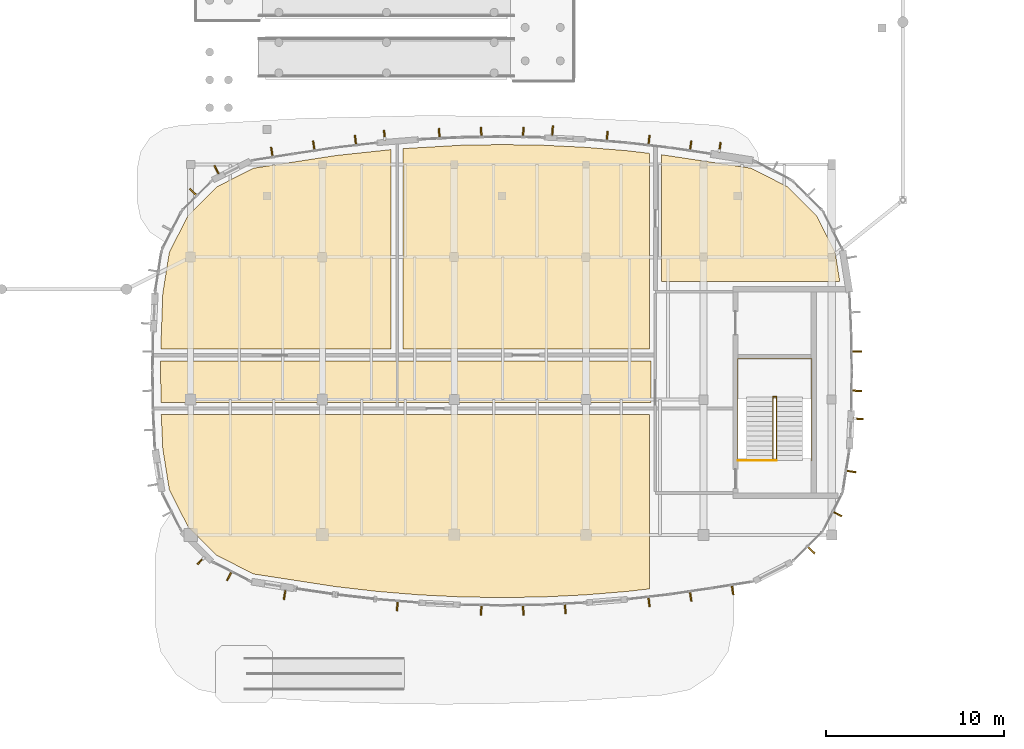
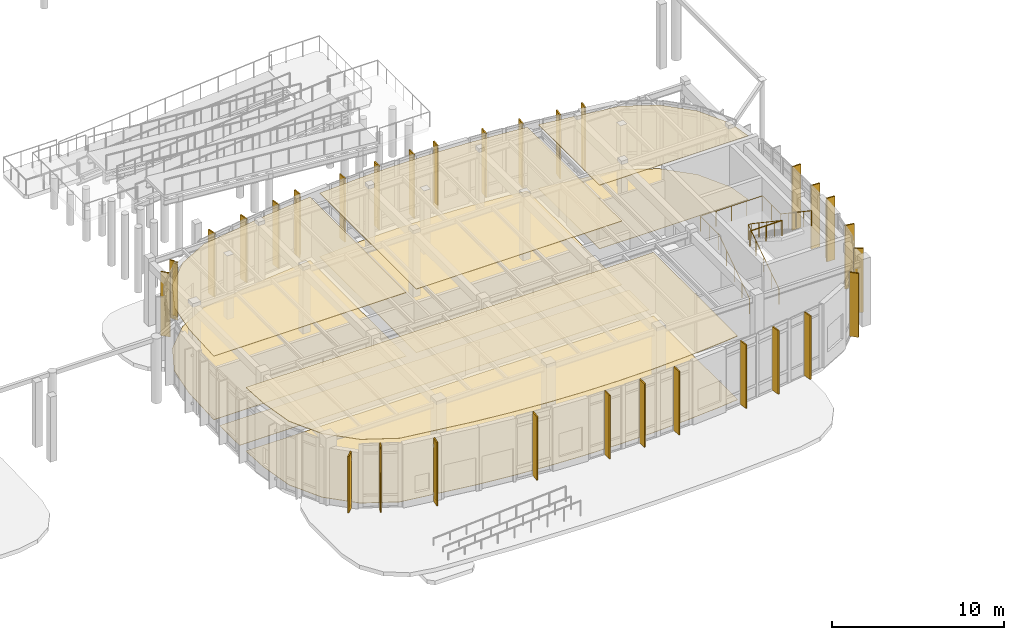
# One storey, part 106 of 120: 39 coverings, 7 shading devices, 3 railings.
"""IFC4 building model written with IfcOpenShell, lengths in metres."""

from ifc_helpers import new_model, si_unit, direction, frame, origin, origin_2d, place, context, subcontext, project, spatial, polyline, rectangle, circle, outline, extrude, material, layer, layer_set, type_object, element, save


model = new_model("IFC4")

# Units and contexts
model_context = context("Model", 3, precision=1e-05, world=origin(), true_north=direction((0.0, 1.0)))
body_context = subcontext(model_context, "Body", "Model", "MODEL_VIEW")
ifc_project = project(units=[si_unit("LENGTHUNIT", "METRE"), si_unit("AREAUNIT", "SQUARE_METRE"), si_unit("VOLUMEUNIT", "CUBIC_METRE"), si_unit("PLANEANGLEUNIT", "RADIAN"), si_unit("MASSUNIT", "GRAM", prefix="KILO")], contexts=[model_context])

# Site, building, storey
site_placement = place(None, origin())
site = spatial("IfcSite", under=ifc_project, at=site_placement, CompositionType="ELEMENT")
building_placement = place(site_placement, origin())
building = spatial("IfcBuilding", under=site, at=building_placement, Name="Corveleigh Park Community Centre", CompositionType="ELEMENT")
storey_placement = place(building_placement, origin())
storey = spatial("IfcBuildingStorey", under=building, at=storey_placement, Name="L00", CompositionType="ELEMENT", Elevation=0.0)

# Coverings
ifc_material_1 = material(Name="Warm buff ribbed architectural cladding", Category="masonry")
ifc_layer_1 = layer(ifc_material_1, 0.0849609375, Name="Warm buff ribbed architectural cladding", Category="masonry")
ifc_layer_set_1 = layer_set([ifc_layer_1], Name="Warm buff ribbed architectural cladding")
covering_type_1 = type_object("IfcCoveringType", Name="COV-CLD-BUF", PredefinedType="CLADDING", material=ifc_layer_set_1)
covering_1_placement = place(storey_placement, origin())
element("IfcCovering", 1, at=covering_1_placement, inside=storey, type_object=covering_type_1, Name="V3 L00 Brise-soleil blade 51", PredefinedType="CLADDING", context=body_context, shape_type="SweptSolid", body=[
    extrude(outline(polyline([(83.675048828125, 7.506103515625), (83.590087890625, 7.512939453125), (83.54296875, 6.93505859375), (83.6279296875, 6.927978515625), (83.675048828125, 7.506103515625)])), origin(), (0.0, 0.0, 1.0), 4.511962890625),
])
covering_2_placement = place(storey_placement, origin())
element("IfcCovering", 2, at=covering_2_placement, inside=storey, type_object=covering_type_1, Name="V3 L00 Brise-soleil blade 52", PredefinedType="CLADDING", context=body_context, shape_type="SweptSolid", body=[
    extrude(outline(polyline([(88.367919921875, 7.278076171875), (88.282958984375, 7.280029296875), (88.27294921875, 6.699951171875), (88.35791015625, 6.697998046875), (88.367919921875, 7.278076171875)])), origin(), (0.0, 0.0, 1.0), 4.511962890625),
])
covering_3_placement = place(storey_placement, origin())
element("IfcCovering", 3, at=covering_3_placement, inside=storey, type_object=covering_type_1, Name="V3 L00 Brise-soleil blade 53", PredefinedType="CLADDING", context=body_context, shape_type="SweptSolid", body=[
    extrude(outline(polyline([(90.717041015625, 7.280029296875), (90.632080078125, 7.278076171875), (90.64208984375, 6.697998046875), (90.72705078125, 6.699951171875), (90.717041015625, 7.280029296875)])), origin(), (0.0, 0.0, 1.0), 4.511962890625),
])
covering_4_placement = place(storey_placement, origin())
element("IfcCovering", 4, at=covering_4_placement, inside=storey, type_object=covering_type_1, Name="V3 L00 Brise-soleil blade 54", PredefinedType="CLADDING", context=body_context, shape_type="SweptSolid", body=[
    extrude(outline(polyline([(93.06494140625, 7.35791015625), (92.98095703125, 7.35400390625), (93.009033203125, 6.77490234375), (93.093994140625, 6.779052734375), (93.06494140625, 7.35791015625)])), origin(), (0.0, 0.0, 1.0), 4.511962890625),
])
covering_5_placement = place(storey_placement, origin())
element("IfcCovering", 5, at=covering_5_placement, inside=storey, type_object=covering_type_1, Name="V3 L00 Brise-soleil blade 55", PredefinedType="CLADDING", context=body_context, shape_type="SweptSolid", body=[
    extrude(outline(polyline([(97.7470703125, 7.7451171875), (97.6630859375, 7.736083984375), (97.72900390625, 7.158935546875), (97.81396484375, 7.1689453125), (97.7470703125, 7.7451171875)])), origin(), (0.0, 0.0, 1.0), 4.511962890625),
])
covering_6_placement = place(storey_placement, origin())
element("IfcCovering", 6, at=covering_6_placement, inside=storey, type_object=covering_type_1, Name="V3 L00 Brise-soleil blade 56", PredefinedType="CLADDING", context=body_context, shape_type="SweptSolid", body=[
    extrude(outline(polyline([(100.077880859375, 8.053955078125), (99.993896484375, 8.041015625), (100.0791015625, 7.467041015625), (100.1630859375, 7.47998046875), (100.077880859375, 8.053955078125)])), origin(), (0.0, 0.0, 1.0), 4.511962890625),
])
covering_7_placement = place(storey_placement, origin())
element("IfcCovering", 7, at=covering_7_placement, inside=storey, type_object=covering_type_1, Name="V3 L00 Brise-soleil blade 57", PredefinedType="CLADDING", context=body_context, shape_type="SweptSolid", body=[
    extrude(outline(polyline([(102.427978515625, 8.4150390625), (102.343994140625, 8.402099609375), (102.43505859375, 7.8291015625), (102.51904296875, 7.842041015625), (102.427978515625, 8.4150390625)])), origin(), (0.0, 0.0, 1.0), 4.511962890625),
])
covering_8_placement = place(storey_placement, origin())
element("IfcCovering", 8, at=covering_8_placement, inside=storey, type_object=covering_type_1, Name="V3 L00 Brise-soleil blade 58", PredefinedType="CLADDING", context=body_context, shape_type="SweptSolid", body=[
    extrude(outline(polyline([(106.6630859375, 10.596923828125), (106.60302734375, 10.537109375), (107.012939453125, 10.1259765625), (107.073974609375, 10.18701171875), (106.6630859375, 10.596923828125)])), origin(), (0.0, 0.0, 1.0), 4.5419921875),
])
covering_9_placement = place(storey_placement, origin())
element("IfcCovering", 9, at=covering_9_placement, inside=storey, type_object=covering_type_1, Name="V3 L00 Brise-soleil blade 59", PredefinedType="CLADDING", context=body_context, shape_type="SweptSolid", body=[
    extrude(outline(polyline([(108.06494140625, 12.549072265625), (108.027099609375, 12.47412109375), (108.5439453125, 12.2099609375), (108.58203125, 12.285888671875), (108.06494140625, 12.549072265625)])), origin(), (0.0, 0.0, 1.0), 4.5419921875),
])
covering_10_placement = place(storey_placement, origin())
element("IfcCovering", 10, at=covering_10_placement, inside=storey, type_object=covering_type_1, Name="V3 L00 Brise-soleil blade 60", PredefinedType="CLADDING", context=body_context, shape_type="SweptSolid", body=[
    extrude(outline(polyline([(108.797119140625, 14.85107421875), (108.783935546875, 14.76708984375), (109.35693359375, 14.676025390625), (109.3701171875, 14.760009765625), (108.797119140625, 14.85107421875)])), origin(), (0.0, 0.0, 1.0), 4.511962890625),
])
covering_11_placement = place(storey_placement, origin())
element("IfcCovering", 11, at=covering_11_placement, inside=storey, type_object=covering_type_1, Name="V3 L00 Brise-soleil blade 61", PredefinedType="CLADDING", context=body_context, shape_type="SweptSolid", body=[
    extrude(outline(polyline([(109.2470703125, 17.77490234375), (109.242919921875, 17.68994140625), (109.778076171875, 17.666015625), (109.781982421875, 17.7509765625), (109.2470703125, 17.77490234375)])), origin(), (0.0, 0.0, 1.0), 4.511962890625),
])
covering_12_placement = place(storey_placement, origin())
element("IfcCovering", 12, at=covering_12_placement, inside=storey, type_object=covering_type_1, Name="V3 L00 Brise-soleil blade 62", PredefinedType="CLADDING", context=body_context, shape_type="SweptSolid", body=[
    extrude(outline(polyline([(109.097900390625, 19.342041015625), (109.096923828125, 19.257080078125), (109.677001953125, 19.2490234375), (109.677978515625, 19.333984375), (109.097900390625, 19.342041015625)])), origin(), (0.0, 0.0, 1.0), 4.511962890625),
])
covering_13_placement = place(storey_placement, origin())
element("IfcCovering", 13, at=covering_13_placement, inside=storey, type_object=covering_type_1, Name="V3 L00 Brise-soleil blade 63", PredefinedType="CLADDING", context=body_context, shape_type="SweptSolid", body=[
    extrude(outline(polyline([(109.096923828125, 21.54296875), (109.097900390625, 21.4580078125), (109.677978515625, 21.466064453125), (109.677001953125, 21.551025390625), (109.096923828125, 21.54296875)])), origin(), (0.0, 0.0, 1.0), 4.511962890625),
])
covering_14_placement = place(storey_placement, origin())
element("IfcCovering", 14, at=covering_14_placement, inside=storey, type_object=covering_type_1, Name="V3 L00 Brise-soleil blade 69", PredefinedType="CLADDING", context=body_context, shape_type="SweptSolid", body=[
    extrude(outline(polyline([(101.637939453125, 32.718017578125), (101.721923828125, 32.705078125), (101.805908203125, 33.23291015625), (101.721923828125, 33.24609375), (101.637939453125, 32.718017578125)])), origin(), (0.0, 0.0, 1.0), 4.537109375),
])
covering_15_placement = place(storey_placement, origin())
element("IfcCovering", 15, at=covering_15_placement, inside=storey, type_object=covering_type_1, Name="V3 L00 Brise-soleil blade 70", PredefinedType="CLADDING", context=body_context, shape_type="SweptSolid", body=[
    extrude(outline(polyline([(99.993896484375, 32.759033203125), (100.077880859375, 32.74609375), (100.1630859375, 33.320068359375), (100.0791015625, 33.3330078125), (99.993896484375, 32.759033203125)])), origin(), (0.0, 0.0, 1.0), 4.537109375),
])
covering_16_placement = place(storey_placement, origin())
element("IfcCovering", 16, at=covering_16_placement, inside=storey, type_object=covering_type_1, Name="V3 L00 Brise-soleil blade 71", PredefinedType="CLADDING", context=body_context, shape_type="SweptSolid", body=[
    extrude(outline(polyline([(97.6630859375, 33.06396484375), (97.7470703125, 33.054931640625), (97.81396484375, 33.631103515625), (97.72900390625, 33.64111328125), (97.6630859375, 33.06396484375)])), origin(), (0.0, 0.0, 1.0), 4.537109375),
])
covering_17_placement = place(storey_placement, origin())
element("IfcCovering", 17, at=covering_17_placement, inside=storey, type_object=covering_type_1, Name="V3 L00 Brise-soleil blade 72", PredefinedType="CLADDING", context=body_context, shape_type="SweptSolid", body=[
    extrude(outline(polyline([(95.324951171875, 33.2939453125), (95.409912109375, 33.287109375), (95.45703125, 33.864990234375), (95.3720703125, 33.8720703125), (95.324951171875, 33.2939453125)])), origin(), (0.0, 0.0, 1.0), 4.537109375),
])
covering_18_placement = place(storey_placement, origin())
element("IfcCovering", 18, at=covering_18_placement, inside=storey, type_object=covering_type_1, Name="V3 L00 Brise-soleil blade 73", PredefinedType="CLADDING", context=body_context, shape_type="SweptSolid", body=[
    extrude(outline(polyline([(92.27294921875, 33.636962890625), (92.35791015625, 33.632080078125), (92.384033203125, 34.1669921875), (92.299072265625, 34.1708984375), (92.27294921875, 33.636962890625)])), origin(), (0.0, 0.0, 1.0), 4.537109375),
])
covering_19_placement = place(storey_placement, origin())
element("IfcCovering", 19, at=covering_19_placement, inside=storey, type_object=covering_type_1, Name="V3 L00 Brise-soleil blade 74", PredefinedType="CLADDING", context=body_context, shape_type="SweptSolid", body=[
    extrude(outline(polyline([(90.632080078125, 33.52197265625), (90.717041015625, 33.52001953125), (90.72705078125, 34.10009765625), (90.64208984375, 34.10205078125), (90.632080078125, 33.52197265625)])), origin(), (0.0, 0.0, 1.0), 4.537109375),
])
covering_20_placement = place(storey_placement, origin())
element("IfcCovering", 20, at=covering_20_placement, inside=storey, type_object=covering_type_1, Name="V3 L00 Brise-soleil blade 75", PredefinedType="CLADDING", context=body_context, shape_type="SweptSolid", body=[
    extrude(outline(polyline([(88.282958984375, 33.52001953125), (88.367919921875, 33.52197265625), (88.35791015625, 34.10205078125), (88.27294921875, 34.10009765625), (88.282958984375, 33.52001953125)])), origin(), (0.0, 0.0, 1.0), 4.537109375),
])
covering_21_placement = place(storey_placement, origin())
element("IfcCovering", 21, at=covering_21_placement, inside=storey, type_object=covering_type_1, Name="V3 L00 Brise-soleil blade 76", PredefinedType="CLADDING", context=body_context, shape_type="SweptSolid", body=[
    extrude(outline(polyline([(85.93505859375, 33.44189453125), (86.01904296875, 33.446044921875), (85.990966796875, 34.02490234375), (85.906005859375, 34.02099609375), (85.93505859375, 33.44189453125)])), origin(), (0.0, 0.0, 1.0), 4.537109375),
])
covering_22_placement = place(storey_placement, origin())
element("IfcCovering", 22, at=covering_22_placement, inside=storey, type_object=covering_type_1, Name="V3 L00 Brise-soleil blade 77", PredefinedType="CLADDING", context=body_context, shape_type="SweptSolid", body=[
    extrude(outline(polyline([(82.863037109375, 33.39306640625), (82.947998046875, 33.39990234375), (82.904052734375, 33.93310546875), (82.820068359375, 33.926025390625), (82.863037109375, 33.39306640625)])), origin(), (0.0, 0.0, 1.0), 4.537109375),
])
covering_23_placement = place(storey_placement, origin())
element("IfcCovering", 23, at=covering_23_placement, inside=storey, type_object=covering_type_1, Name="V3 L00 Brise-soleil blade 78", PredefinedType="CLADDING", context=body_context, shape_type="SweptSolid", body=[
    extrude(outline(polyline([(81.2529296875, 33.054931640625), (81.3369140625, 33.06396484375), (81.27099609375, 33.64111328125), (81.18603515625, 33.631103515625), (81.2529296875, 33.054931640625)])), origin(), (0.0, 0.0, 1.0), 4.537109375),
])
covering_24_placement = place(storey_placement, origin())
element("IfcCovering", 24, at=covering_24_placement, inside=storey, type_object=covering_type_1, Name="V3 L00 Brise-soleil blade 79", PredefinedType="CLADDING", context=body_context, shape_type="SweptSolid", body=[
    extrude(outline(polyline([(78.922119140625, 32.74609375), (79.006103515625, 32.759033203125), (78.9208984375, 33.3330078125), (78.8369140625, 33.320068359375), (78.922119140625, 32.74609375)])), origin(), (0.0, 0.0, 1.0), 4.537109375),
])
covering_25_placement = place(storey_placement, origin())
element("IfcCovering", 25, at=covering_25_placement, inside=storey, type_object=covering_type_1, Name="V3 L00 Brise-soleil blade 80", PredefinedType="CLADDING", context=body_context, shape_type="SweptSolid", body=[
    extrude(outline(polyline([(76.572021484375, 32.385009765625), (76.656005859375, 32.39794921875), (76.56494140625, 32.970947265625), (76.48095703125, 32.9580078125), (76.572021484375, 32.385009765625)])), origin(), (0.0, 0.0, 1.0), 4.537109375),
])
covering_26_placement = place(storey_placement, origin())
element("IfcCovering", 26, at=covering_26_placement, inside=storey, type_object=covering_type_1, Name="V3 L00 Brise-soleil blade 81", PredefinedType="CLADDING", context=body_context, shape_type="SweptSolid", body=[
    extrude(outline(polyline([(73.5419921875, 31.449951171875), (73.616943359375, 31.489013671875), (73.3740234375, 31.965087890625), (73.299072265625, 31.927001953125), (73.5419921875, 31.449951171875)])), origin(), (0.0, 0.0, 1.0), 4.115966796875),
])
covering_27_placement = place(storey_placement, origin())
element("IfcCovering", 27, at=covering_27_placement, inside=storey, type_object=covering_type_1, Name="V3 L00 Brise-soleil blade 82", PredefinedType="CLADDING", context=body_context, shape_type="SweptSolid", body=[
    extrude(outline(polyline([(72.3369140625, 30.202880859375), (72.39697265625, 30.262939453125), (71.987060546875, 30.674072265625), (71.926025390625, 30.613037109375), (72.3369140625, 30.202880859375)])), origin(), (0.0, 0.0, 1.0), 4.537109375),
])
covering_28_placement = place(storey_placement, origin())
element("IfcCovering", 28, at=covering_28_placement, inside=storey, type_object=covering_type_1, Name="V3 L00 Brise-soleil blade 91", PredefinedType="CLADDING", context=body_context, shape_type="SweptSolid", body=[
    extrude(outline(polyline([(72.797119140625, 9.903076171875), (72.737060546875, 9.962890625), (72.35888671875, 9.583984375), (72.4189453125, 9.52392578125), (72.797119140625, 9.903076171875)])), origin(), (0.0, 0.0, 1.0), 4.030029296875),
])
covering_29_placement = place(storey_placement, origin())
element("IfcCovering", 29, at=covering_29_placement, inside=storey, type_object=covering_type_1, Name="V3 L00 Brise-soleil blade 92", PredefinedType="CLADDING", context=body_context, shape_type="SweptSolid", body=[
    extrude(outline(polyline([(74.34912109375, 9.135009765625), (74.27392578125, 9.173095703125), (74.010009765625, 8.656005859375), (74.0859375, 8.617919921875), (74.34912109375, 9.135009765625)])), origin(), (0.0, 0.0, 1.0), 4.5419921875),
])
covering_30_placement = place(storey_placement, origin())
element("IfcCovering", 30, at=covering_30_placement, inside=storey, type_object=covering_type_1, Name="V3 L00 Brise-soleil blade 93", PredefinedType="CLADDING", context=body_context, shape_type="SweptSolid", body=[
    extrude(outline(polyline([(77.363037109375, 8.092041015625), (77.279052734375, 8.10498046875), (77.195068359375, 7.576904296875), (77.279052734375, 7.56396484375), (77.363037109375, 8.092041015625)])), origin(), (0.0, 0.0, 1.0), 4.511962890625),
])
ifc_material_2 = material(Name="Perforated acoustic suspended ceiling", Category="gypsum")
ifc_layer_2 = layer(ifc_material_2, 0.0400390625, Name="Perforated acoustic suspended ceiling", Category="gypsum")
ifc_layer_set_2 = layer_set([ifc_layer_2], Name="Perforated acoustic suspended ceiling")
covering_type_2 = type_object("IfcCoveringType", Name="COV-CLG-ACU", PredefinedType="CEILING", material=ifc_layer_set_2)
covering_31_placement = place(storey_placement, frame((0.0, 0.0, 4.510009765625)))
element("IfcCovering", 31, at=covering_31_placement, inside=storey, type_object=covering_type_2, Name="Community Dining Hall acoustic ceiling", PredefinedType="CEILING", context=body_context, shape_type="SweptSolid", body=[
    extrude(outline(polyline([(70.805908203125, 13.72802734375), (70.43798828125, 16.044921875), (70.35009765625, 17.9599609375), (97.760009765625, 17.9599609375), (97.760009765625, 8.1689453125), (96.4970703125, 8.02392578125), (94.1689453125, 7.8330078125), (91.8359375, 7.718017578125), (89.5, 7.679931640625), (87.1640625, 7.718017578125), (84.8310546875, 7.8330078125), (82.5029296875, 8.02392578125), (80.181884765625, 8.291015625), (75.528076171875, 9.006103515625), (73.47705078125, 10.050048828125), (71.85009765625, 11.677001953125), (70.805908203125, 13.72802734375)])), origin(), (0.0, 0.0, 1.0), 0.0400390625),
])
covering_32_placement = place(storey_placement, frame((0.0, 0.0, 4.5048828125)))
element("IfcCovering", 32, at=covering_32_placement, inside=storey, type_object=covering_type_2, Name="Parkside Community Cafe acoustic ceiling", PredefinedType="CEILING", context=body_context, shape_type="SweptSolid", body=[
    extrude(outline(polyline([(70.324951171875, 21.639892578125), (70.43798828125, 24.7548828125), (70.805908203125, 27.072021484375), (71.85009765625, 29.123046875), (73.47705078125, 30.75), (75.528076171875, 31.7939453125), (80.181884765625, 32.509033203125), (83.260009765625, 32.837890625), (83.260009765625, 21.639892578125), (70.324951171875, 21.639892578125)])), origin(), (0.0, 0.0, 1.0), 0.0400390625),
])
covering_33_placement = place(storey_placement, frame((0.0, 0.0, 4.5048828125)))
element("IfcCovering", 33, at=covering_33_placement, inside=storey, type_object=covering_type_2, Name="Commercial Catering Kitchen acoustic ceiling", PredefinedType="CEILING", context=body_context, shape_type="SweptSolid", body=[
    extrude(outline(polyline([(87.1640625, 33.08203125), (89.5, 33.1201171875), (91.8359375, 33.08203125), (94.1689453125, 32.967041015625), (96.4970703125, 32.77587890625), (97.760009765625, 32.631103515625), (97.760009765625, 21.639892578125), (83.93994140625, 21.639892578125), (83.93994140625, 32.89404296875), (87.1640625, 33.08203125)])), origin(), (0.0, 0.0, 1.0), 0.0400390625),
])
covering_34_placement = place(storey_placement, frame((0.0, 0.0, 4.5048828125)))
element("IfcCovering", 34, at=covering_34_placement, inside=storey, type_object=covering_type_2, Name="Kitchen Goods Receiving Bay acoustic ceiling", PredefinedType="CEILING", context=body_context, shape_type="SweptSolid", body=[
    extrude(outline(polyline([(108.452880859375, 25.43994140625), (98.43994140625, 25.43994140625), (98.43994140625, 32.552001953125), (103.471923828125, 31.7939453125), (105.52294921875, 30.75), (107.14990234375, 29.123046875), (108.194091796875, 27.072021484375), (108.452880859375, 25.43994140625)])), origin(), (0.0, 0.0, 1.0), 0.0400390625),
])
ifc_material_3 = material(Name="Acoustic linoleum flooring", Category="wood")
ifc_layer_3 = layer(ifc_material_3, 0.02490234375, Name="Acoustic linoleum flooring", Category="wood")
ifc_layer_set_3 = layer_set([ifc_layer_3], Name="Acoustic linoleum flooring")
covering_type_3 = type_object("IfcCoveringType", Name="COV-FLR-LIN", PredefinedType="FLOORING", material=ifc_layer_set_3)
covering_35_placement = place(storey_placement, origin())
element("IfcCovering", 35, at=covering_35_placement, inside=storey, type_object=covering_type_3, Name="Dining Foyer Corridor flooring", PredefinedType="FLOORING", context=body_context, shape_type="SweptSolid", body=[
    extrude(outline(polyline([(97.85009765625, 20.9599609375), (97.85009765625, 18.639892578125), (70.33203125, 18.639892578125), (70.31396484375, 20.9599609375), (97.85009765625, 20.9599609375)])), origin(), (0.0, 0.0, 1.0), 0.02490234375),
])
covering_36_placement = place(storey_placement, origin())
element("IfcCovering", 36, at=covering_36_placement, inside=storey, type_object=covering_type_3, Name="Community Dining Hall flooring", PredefinedType="FLOORING", context=body_context, shape_type="SweptSolid", body=[
    extrude(outline(polyline([(70.805908203125, 13.72802734375), (70.43798828125, 16.044921875), (70.35009765625, 17.9599609375), (97.760009765625, 17.9599609375), (97.760009765625, 8.1689453125), (96.4970703125, 8.02392578125), (94.1689453125, 7.8330078125), (91.8359375, 7.718017578125), (89.5, 7.679931640625), (87.1640625, 7.718017578125), (84.8310546875, 7.8330078125), (82.5029296875, 8.02392578125), (80.181884765625, 8.291015625), (75.528076171875, 9.006103515625), (73.47705078125, 10.050048828125), (71.85009765625, 11.677001953125), (70.805908203125, 13.72802734375)])), origin(), (0.0, 0.0, 1.0), 0.02490234375),
])
covering_37_placement = place(storey_placement, origin())
element("IfcCovering", 37, at=covering_37_placement, inside=storey, type_object=covering_type_3, Name="Parkside Community Cafe flooring", PredefinedType="FLOORING", context=body_context, shape_type="SweptSolid", body=[
    extrude(outline(polyline([(70.324951171875, 21.639892578125), (70.43798828125, 24.7548828125), (70.805908203125, 27.072021484375), (71.85009765625, 29.123046875), (73.47705078125, 30.75), (75.528076171875, 31.7939453125), (80.181884765625, 32.509033203125), (83.260009765625, 32.837890625), (83.260009765625, 21.639892578125), (70.324951171875, 21.639892578125)])), origin(), (0.0, 0.0, 1.0), 0.02490234375),
])
covering_38_placement = place(storey_placement, origin())
element("IfcCovering", 38, at=covering_38_placement, inside=storey, type_object=covering_type_3, Name="Commercial Catering Kitchen flooring", PredefinedType="FLOORING", context=body_context, shape_type="SweptSolid", body=[
    extrude(outline(polyline([(87.1640625, 33.08203125), (89.5, 33.1201171875), (91.8359375, 33.08203125), (94.1689453125, 32.967041015625), (96.4970703125, 32.77587890625), (97.760009765625, 32.631103515625), (97.760009765625, 21.639892578125), (83.93994140625, 21.639892578125), (83.93994140625, 32.89404296875), (87.1640625, 33.08203125)])), origin(), (0.0, 0.0, 1.0), 0.02490234375),
])
covering_39_placement = place(storey_placement, origin())
element("IfcCovering", 39, at=covering_39_placement, inside=storey, type_object=covering_type_3, Name="Kitchen Goods Receiving Bay flooring", PredefinedType="FLOORING", context=body_context, shape_type="SweptSolid", body=[
    extrude(outline(polyline([(108.452880859375, 25.43994140625), (98.43994140625, 25.43994140625), (98.43994140625, 32.552001953125), (103.471923828125, 31.7939453125), (105.52294921875, 30.75), (107.14990234375, 29.123046875), (108.194091796875, 27.072021484375), (108.452880859375, 25.43994140625)])), origin(), (0.0, 0.0, 1.0), 0.02490234375),
])

# Railings
ifc_material_4 = material(Name="Stainless steel 316 balustrade", Category="steel")
railing_type = type_object("IfcRailingType", Name="RLG-BAL-INT-1100", PredefinedType="BALUSTRADE", material=ifc_material_4)
railing_1_placement = place(storey_placement, frame((104.699951171875, 15.3798828125, 0.0)))
element("IfcRailing", 40, at=railing_1_placement, inside=storey, type_object=railing_type, Name="Stair ST4 inner guard L00", PredefinedType="BALUSTRADE", context=body_context, shape_type="SweptSolid", body=[
    extrude(circle(Radius=0.02392578125, at=origin_2d()), frame((0.0, 0.0, 1.076171875), z_axis=(0.0, 0.830284100223, 0.557340392324), x_axis=(-1.0, 0.0, 0.0)), (0.0, 0.0, 1.0), 4.305908203125),
    extrude(circle(Radius=0.02392578125, at=origin_2d()), frame((0.0, 3.5751953125, 3.47607421875), z_axis=(1.0, 0.0, 0.0), x_axis=(0.0, 1.0, 0.0)), (0.0, 0.0, 1.0), 0.199951171875),
    extrude(circle(Radius=0.02392578125, at=origin_2d()), frame((0.199951171875, 3.5751953125, 3.47607421875), z_axis=(0.0, -0.830257863129, 0.557379476401), x_axis=(1.0, 0.0, 0.0)), (0.0, 0.0, 1.0), 4.30615234375),
    extrude(circle(Radius=0.02099609375, at=origin_2d()), origin(), (0.0, 0.0, 1.0), 1.052001953125),
    extrude(circle(Radius=0.02099609375, at=origin_2d()), frame((0.0, 0.893798828125, 0.60009765625)), (0.0, 0.0, 1.0), 1.052001953125),
    extrude(circle(Radius=0.02099609375, at=origin_2d()), frame((0.0, 1.78759765625, 1.199951171875)), (0.0, 0.0, 1.0), 1.052001953125),
    extrude(circle(Radius=0.02099609375, at=origin_2d()), frame((0.0, 2.681396484375, 1.7998046875)), (0.0, 0.0, 1.0), 1.052001953125),
    extrude(circle(Radius=0.02099609375, at=origin_2d()), frame((0.0, 3.5751953125, 2.39990234375)), (0.0, 0.0, 1.0), 1.052001953125),
    extrude(circle(Radius=0.02099609375, at=origin_2d()), frame((0.199951171875, 3.5751953125, 2.39990234375)), (0.0, 0.0, 1.0), 1.052001953125),
    extrude(circle(Radius=0.02099609375, at=origin_2d()), frame((0.199951171875, 2.681396484375, 3.0)), (0.0, 0.0, 1.0), 1.052001953125),
    extrude(circle(Radius=0.02099609375, at=origin_2d()), frame((0.199951171875, 1.78759765625, 3.60009765625)), (0.0, 0.0, 1.0), 1.052001953125),
    extrude(circle(Radius=0.02099609375, at=origin_2d()), frame((0.199951171875, 0.893798828125, 4.199951171875)), (0.0, 0.0, 1.0), 1.052001953125),
    extrude(circle(Radius=0.02099609375, at=origin_2d()), frame((0.199951171875, 0.0, 4.800048828125)), (0.0, 0.0, 1.0), 1.052001953125),
])
railing_2_placement = place(storey_placement, frame((102.741943359375, 15.3798828125, 4.800048828125)))
element("IfcRailing", 41, at=railing_2_placement, inside=storey, type_object=railing_type, Name="Stair ST4 landing guard L00", PredefinedType="BALUSTRADE", context=body_context, shape_type="SweptSolid", body=[
    extrude(circle(Radius=0.02392578125, at=origin_2d()), frame((0.0, 0.0, 1.076171875), z_axis=(1.0, 0.0, 0.0), x_axis=(0.0, 1.0, 0.0)), (0.0, 0.0, 1.0), 2.157958984375),
    extrude(circle(Radius=0.02099609375, at=origin_2d()), origin(), (0.0, 0.0, 1.0), 1.052001953125),
    extrude(circle(Radius=0.02099609375, at=origin_2d()), frame((1.0791015625, 0.0, 0.0)), (0.0, 0.0, 1.0), 1.052001953125),
    extrude(circle(Radius=0.02099609375, at=origin_2d()), frame((2.157958984375, 0.0, 0.0)), (0.0, 0.0, 1.0), 1.052001953125),
])
railing_3_placement = place(storey_placement, frame((102.721923828125, 15.3798828125, 0.0)))
element("IfcRailing", 42, at=railing_3_placement, inside=storey, type_object=railing_type, Name="Stair ST4 perimeter guard L00", PredefinedType="BALUSTRADE", context=body_context, shape_type="SweptSolid", body=[
    extrude(circle(Radius=0.02392578125, at=origin_2d()), frame((0.0, 0.0, 1.076171875), z_axis=(0.0, 0.830284100223, 0.557340392324), x_axis=(-1.0, 0.0, 0.0)), (0.0, 0.0, 1.0), 4.305908203125),
    extrude(circle(Radius=0.02392578125, at=origin_2d()), frame((0.0, 3.5751953125, 3.47607421875), z_axis=(0.0, 1.0, 0.0), x_axis=(-1.0, 0.0, 0.0)), (0.0, 0.0, 1.0), 2.137939453125),
    extrude(circle(Radius=0.02392578125, at=origin_2d()), frame((0.0, 5.713134765625, 3.47607421875), z_axis=(1.0, 0.0, 0.0), x_axis=(0.0, 1.0, 0.0)), (0.0, 0.0, 1.0), 4.156005859375),
    extrude(circle(Radius=0.02392578125, at=origin_2d()), frame((4.156005859375, 5.713134765625, 3.47607421875), z_axis=(0.0, -1.0, 0.0), x_axis=(1.0, 0.0, 0.0)), (0.0, 0.0, 1.0), 2.137939453125),
    extrude(circle(Radius=0.02392578125, at=origin_2d()), frame((4.156005859375, 3.5751953125, 3.47607421875), z_axis=(0.0, -0.830257863129, 0.557379476401), x_axis=(1.0, 0.0, 0.0)), (0.0, 0.0, 1.0), 4.30615234375),
    extrude(circle(Radius=0.02099609375, at=origin_2d()), origin(), (0.0, 0.0, 1.0), 1.052001953125),
    extrude(circle(Radius=0.02099609375, at=origin_2d()), frame((0.0, 0.893798828125, 0.60009765625)), (0.0, 0.0, 1.0), 1.052001953125),
    extrude(circle(Radius=0.02099609375, at=origin_2d()), frame((0.0, 1.78759765625, 1.199951171875)), (0.0, 0.0, 1.0), 1.052001953125),
    extrude(circle(Radius=0.02099609375, at=origin_2d()), frame((0.0, 2.681396484375, 1.7998046875)), (0.0, 0.0, 1.0), 1.052001953125),
    extrude(circle(Radius=0.02099609375, at=origin_2d()), frame((0.0, 3.5751953125, 2.39990234375)), (0.0, 0.0, 1.0), 1.052001953125),
    extrude(circle(Radius=0.02099609375, at=origin_2d()), frame((0.0, 4.64404296875, 2.39990234375)), (0.0, 0.0, 1.0), 1.052001953125),
    extrude(circle(Radius=0.02099609375, at=origin_2d()), frame((0.0, 5.713134765625, 2.39990234375)), (0.0, 0.0, 1.0), 1.052001953125),
    extrude(circle(Radius=0.02099609375, at=origin_2d()), frame((1.0390625, 5.713134765625, 2.39990234375)), (0.0, 0.0, 1.0), 1.052001953125),
    extrude(circle(Radius=0.02099609375, at=origin_2d()), frame((2.078125, 5.713134765625, 2.39990234375)), (0.0, 0.0, 1.0), 1.052001953125),
    extrude(circle(Radius=0.02099609375, at=origin_2d()), frame((3.116943359375, 5.713134765625, 2.39990234375)), (0.0, 0.0, 1.0), 1.052001953125),
    extrude(circle(Radius=0.02099609375, at=origin_2d()), frame((4.156005859375, 5.713134765625, 2.39990234375)), (0.0, 0.0, 1.0), 1.052001953125),
    extrude(circle(Radius=0.02099609375, at=origin_2d()), frame((4.156005859375, 4.64404296875, 2.39990234375)), (0.0, 0.0, 1.0), 1.052001953125),
    extrude(circle(Radius=0.02099609375, at=origin_2d()), frame((4.156005859375, 3.5751953125, 2.39990234375)), (0.0, 0.0, 1.0), 1.052001953125),
    extrude(circle(Radius=0.02099609375, at=origin_2d()), frame((4.156005859375, 2.681396484375, 3.0)), (0.0, 0.0, 1.0), 1.052001953125),
    extrude(circle(Radius=0.02099609375, at=origin_2d()), frame((4.156005859375, 1.78759765625, 3.60009765625)), (0.0, 0.0, 1.0), 1.052001953125),
    extrude(circle(Radius=0.02099609375, at=origin_2d()), frame((4.156005859375, 0.893798828125, 4.199951171875)), (0.0, 0.0, 1.0), 1.052001953125),
    extrude(circle(Radius=0.02099609375, at=origin_2d()), frame((4.156005859375, 0.0, 4.800048828125)), (0.0, 0.0, 1.0), 1.052001953125),
])

# Shading devices
ifc_material_5 = material(Name="Terracotta-anodised aluminium fin", Category="masonry")
shading_device_type_1 = type_object("IfcShadingDeviceType", Name="SHD-FIN-TER-350", PredefinedType="USERDEFINED", material=ifc_material_5)
shading_device_1_placement = place(storey_placement, frame((92.324951171875, 33.823974609375, 0.25), z_axis=(0.0, 0.0, 1.0), x_axis=(0.049723823459, 0.998763005613, 0.0)))
element("IfcShadingDevice", 43, at=shading_device_1_placement, inside=storey, type_object=shading_device_type_1, Name="Terracotta brise-soleil fin 9", ObjectType="FIN", PredefinedType="USERDEFINED", context=body_context, shape_type="SweptSolid", body=[
    extrude(rectangle(XDim=0.35009765625, YDim=0.06005859375, at=origin_2d()), origin(), (0.0, 0.0, 1.0), 4.136962890625),
])
shading_device_2_placement = place(storey_placement, frame((73.492919921875, 31.638916015625, 0.25), z_axis=(0.0, 0.0, 1.0), x_axis=(-0.45413480079, 0.890932984411, 0.0)))
element("IfcShadingDevice", 44, at=shading_device_2_placement, inside=storey, type_object=shading_device_type_1, Name="Terracotta brise-soleil fin 11", ObjectType="FIN", PredefinedType="USERDEFINED", context=body_context, shape_type="SweptSolid", body=[
    extrude(rectangle(XDim=0.35009765625, YDim=0.06005859375, at=origin_2d()), origin(), (0.0, 0.0, 1.0), 3.716064453125),
])
shading_device_3_placement = place(storey_placement, frame((77.291015625, 7.910888671875, 0.25), z_axis=(0.0, 0.0, 1.0), x_axis=(-0.156605894344, -0.98766117361, 0.0)))
element("IfcShadingDevice", 45, at=shading_device_3_placement, inside=storey, type_object=shading_device_type_1, Name="Terracotta brise-soleil fin 15", ObjectType="FIN", PredefinedType="USERDEFINED", context=body_context, shape_type="SweptSolid", body=[
    extrude(rectangle(XDim=0.35009765625, YDim=0.06005859375, at=origin_2d()), origin(), (0.0, 0.0, 1.0), 4.112060546875),
])
shading_device_type_2 = type_object("IfcShadingDeviceType", Name="SHD-FIN-TER-450", PredefinedType="USERDEFINED", material=ifc_material_5)
shading_device_4_placement = place(storey_placement, frame((109.43505859375, 17.72412109375, 0.25), z_axis=(0.0, 0.0, 1.0), x_axis=(0.998942789627, -0.045970676011, 0.0)))
element("IfcShadingDevice", 46, at=shading_device_4_placement, inside=storey, type_object=shading_device_type_2, Name="Terracotta brise-soleil fin 6", ObjectType="FIN", PredefinedType="USERDEFINED", context=body_context, shape_type="SweptSolid", body=[
    extrude(rectangle(XDim=0.449951171875, YDim=0.06494140625, at=origin_2d()), origin(), (0.0, 0.0, 1.0), 4.112060546875),
])
for number, where, z_axis, x_axis, name in (
    (47, (101.7099609375, 32.89892578125, 0.25), (0.0, 0.0, 1.0), (0.156605894344, 0.98766117361, 0.0), "Terracotta brise-soleil fin 8"),
    (48, (82.889892578125, 33.5859375, 0.25), (0.0, 0.0, 1.0), (-0.081483729643, 0.996674671999, 0.0), "Terracotta brise-soleil fin 10"),
):
    element("IfcShadingDevice", number, at=place(storey_placement, frame(where, z_axis=z_axis, x_axis=x_axis)), inside=storey, type_object=shading_device_type_2, Name=name, ObjectType="FIN", PredefinedType="USERDEFINED", context=body_context, shape_type="SweptSolid", body=[
        extrude(rectangle(XDim=0.449951171875, YDim=0.06494140625, at=origin_2d()), origin(), (0.0, 0.0, 1.0), 4.136962890625),
    ])
shading_device_5_placement = place(storey_placement, frame((72.633056640625, 9.798095703125, 0.25), z_axis=(0.0, 0.0, 1.0), x_axis=(-0.707106781187, -0.707106781187, 0.0)))
element("IfcShadingDevice", 49, at=shading_device_5_placement, inside=storey, type_object=shading_device_type_2, Name="Terracotta brise-soleil fin 14", ObjectType="FIN", PredefinedType="USERDEFINED", context=body_context, shape_type="SweptSolid", body=[
    extrude(rectangle(XDim=0.449951171875, YDim=0.06494140625, at=origin_2d()), origin(), (0.0, 0.0, 1.0), 3.6298828125),
])

save(model, "model.ifc")
